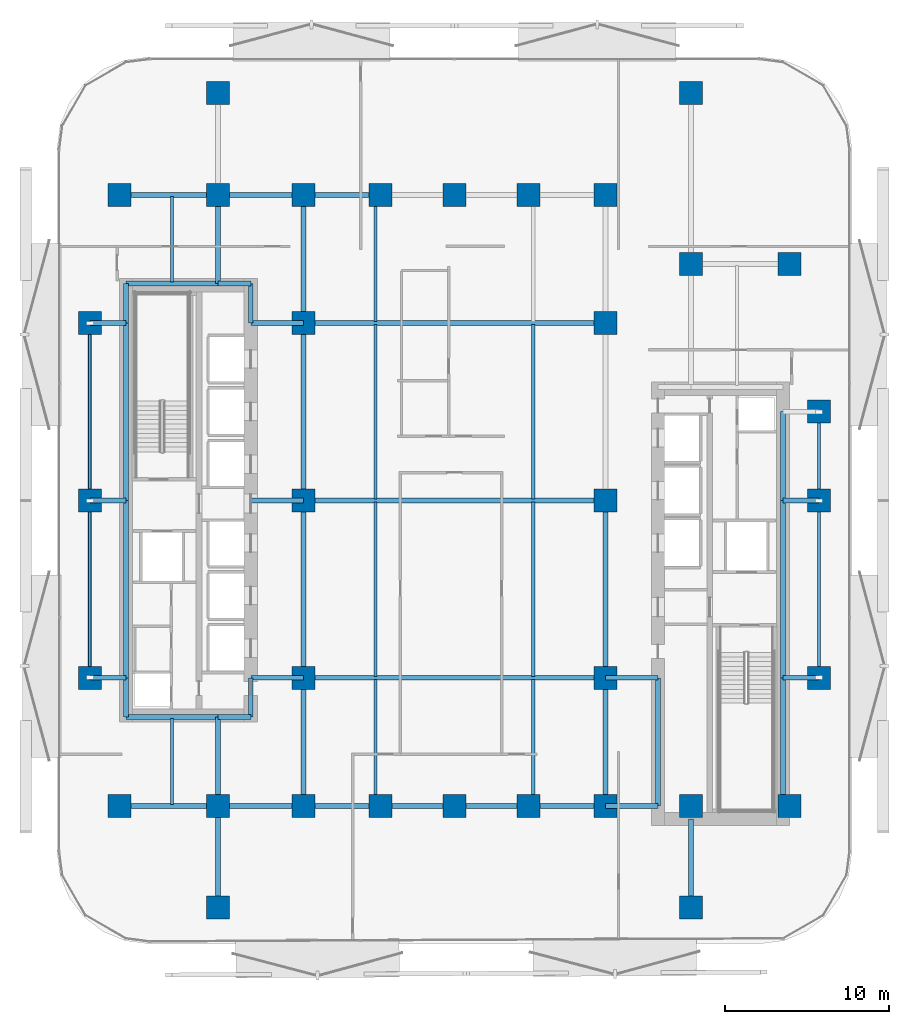
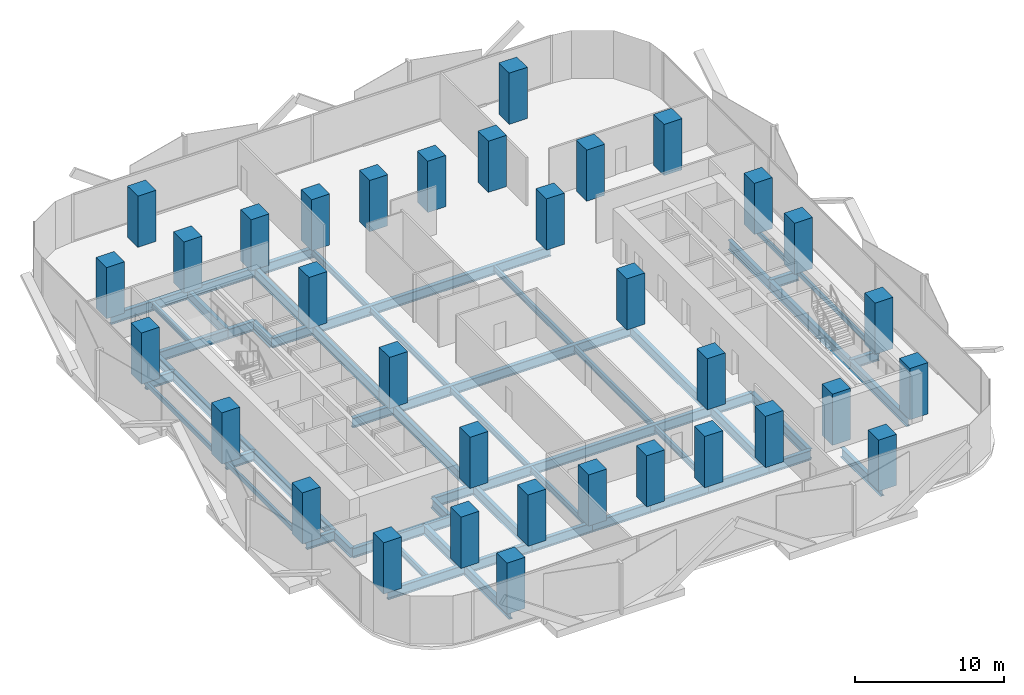
# One storey, part 1 of 15: 59 beams, 34 columns.
"""IFC4 building model written with IfcOpenShell, lengths in metres."""

from ifc_helpers import new_model, si_unit, direction, frame, origin, origin_2d, place, context, subcontext, project, spatial, rectangle, hollow_rectangle, i_section, extrude, material, material_profile, profile_set, type_object, element, save


model = new_model("IFC4")

# Units and contexts
model_context = context("Model", 3, precision=1e-05, world=origin(), true_north=direction((0.0, 1.0)))
body_context = subcontext(model_context, "Body", "Model", "MODEL_VIEW")
ifc_project = project(units=[si_unit("LENGTHUNIT", "METRE"), si_unit("AREAUNIT", "SQUARE_METRE"), si_unit("VOLUMEUNIT", "CUBIC_METRE"), si_unit("PLANEANGLEUNIT", "RADIAN"), si_unit("MASSUNIT", "GRAM", prefix="KILO")], contexts=[model_context])

# Site, building, storey
site_placement = place(None, origin())
site = spatial("IfcSite", under=ifc_project, at=site_placement, CompositionType="ELEMENT")
building_placement = place(site_placement, origin())
building = spatial("IfcBuilding", under=site, at=building_placement, Name="Khairoan Windgate Tower", CompositionType="ELEMENT")
storey_placement = place(building_placement, frame((0.0, 0.0, 47.0)))
storey = spatial("IfcBuildingStorey", under=building, at=storey_placement, Name="L11", CompositionType="ELEMENT", Elevation=47.0)

# Columns
ifc_material_1 = material(Name="Concrete C60/75", Category="concrete")
ifc_material_profile_1 = material_profile(ifc_material_1, rectangle(XDim=1.39990234375, YDim=1.39990234375, at=origin_2d()))
ifc_profile_set_1 = profile_set([ifc_material_profile_1], Name="Concrete C60/75")
column_type = type_object("IfcColumnType", Name="Column C-T2 RC1400x1400", PredefinedType="COLUMN", material=ifc_profile_set_1)
for number, where, z_axis, x_axis, name in (
    (1, (-9.199951171875, -18.60009765625, 0.0), (0.0, 0.0, 1.0), (1.0, 0.0, 0.0), "Column L11-01"),
    (2, (-9.199951171875, -10.800048828125, 0.0), (0.0, 0.0, 1.0), (1.0, 0.0, 0.0), "Column L11-02"),
    (3, (-9.199951171875, 0.0, 0.0), (0.0, 0.0, 1.0), (1.0, 0.0, 0.0), "Column L11-03"),
    (4, (-9.199951171875, 10.800048828125, 0.0), (0.0, 0.0, 1.0), (1.0, 0.0, 0.0), "Column L11-04"),
    (5, (-9.199951171875, 18.60009765625, 0.0), (0.0, 0.0, 1.0), (1.0, 0.0, 0.0), "Column L11-05"),
    (6, (9.199951171875, -18.60009765625, 0.0), (0.0, 0.0, 1.0), (1.0, 0.0, 0.0), "Column L11-06"),
    (7, (9.199951171875, -10.800048828125, 0.0), (0.0, 0.0, 1.0), (1.0, 0.0, 0.0), "Column L11-07"),
    (8, (9.199951171875, 0.0, 0.0), (0.0, 0.0, 1.0), (1.0, 0.0, 0.0), "Column L11-08"),
    (9, (9.199951171875, 10.800048828125, 0.0), (0.0, 0.0, 1.0), (1.0, 0.0, 0.0), "Column L11-09"),
    (10, (9.199951171875, 18.60009765625, 0.0), (0.0, 0.0, 1.0), (1.0, 0.0, 0.0), "Column L11-10"),
    (11, (-20.39990234375, -18.60009765625, 0.0), (0.0, 0.0, 1.0), (1.0, 0.0, 0.0), "Column L11-11"),
    (12, (-20.39990234375, 18.60009765625, 0.0), (0.0, 0.0, 1.0), (1.0, 0.0, 0.0), "Column L11-12"),
    (13, (20.39990234375, -18.60009765625, 0.0), (0.0, 0.0, 1.0), (1.0, 0.0, 0.0), "Column L11-13"),
    (14, (20.39990234375, 14.39990234375, 0.0), (0.0, 0.0, 1.0), (1.0, 0.0, 0.0), "Column L11-14"),
    (15, (-14.39990234375, -18.60009765625, 0.0), (0.0, 0.0, 1.0), (1.0, 0.0, 0.0), "Column L11-15"),
    (16, (-14.39990234375, 18.60009765625, 0.0), (0.0, 0.0, 1.0), (1.0, 0.0, 0.0), "Column L11-16"),
    (17, (14.39990234375, -18.60009765625, 0.0), (0.0, 0.0, 1.0), (1.0, 0.0, 0.0), "Column L11-17"),
    (18, (14.39990234375, 14.39990234375, 0.0), (0.0, 0.0, 1.0), (1.0, 0.0, 0.0), "Column L11-18"),
    (19, (-4.5, -18.60009765625, 0.0), (0.0, 0.0, 1.0), (1.0, 0.0, 0.0), "Column L11-19"),
    (20, (0.0, -18.60009765625, 0.0), (0.0, 0.0, 1.0), (1.0, 0.0, 0.0), "Column L11-20"),
    (21, (4.5, -18.60009765625, 0.0), (0.0, 0.0, 1.0), (1.0, 0.0, 0.0), "Column L11-21"),
    (22, (-4.5, 18.60009765625, 0.0), (0.0, 0.0, 1.0), (1.0, 0.0, 0.0), "Column L11-22"),
    (23, (0.0, 18.60009765625, 0.0), (0.0, 0.0, 1.0), (1.0, 0.0, 0.0), "Column L11-23"),
    (24, (4.5, 18.60009765625, 0.0), (0.0, 0.0, 1.0), (1.0, 0.0, 0.0), "Column L11-24"),
    (25, (-22.199951171875, -10.800048828125, 0.0), (0.0, 0.0, 1.0), (1.0, 0.0, 0.0), "Column L11-25"),
    (26, (-22.199951171875, 0.0, 0.0), (0.0, 0.0, 1.0), (1.0, 0.0, 0.0), "Column L11-26"),
    (27, (-22.199951171875, 10.800048828125, 0.0), (0.0, 0.0, 1.0), (1.0, 0.0, 0.0), "Column L11-27"),
    (28, (22.199951171875, -10.800048828125, 0.0), (0.0, 0.0, 1.0), (1.0, 0.0, 0.0), "Column L11-28"),
    (29, (22.199951171875, 0.0, 0.0), (0.0, 0.0, 1.0), (1.0, 0.0, 0.0), "Column L11-29"),
    (30, (22.199951171875, 5.39990234375, 0.0), (0.0, 0.0, 1.0), (1.0, 0.0, 0.0), "Column L11-30"),
    (31, (-14.39990234375, -24.800048828125, 0.0), (0.0, 0.0, 1.0), (1.0, 0.0, 0.0), "Column L11-31"),
    (32, (-14.39990234375, 24.800048828125, 0.0), (0.0, 0.0, 1.0), (1.0, 0.0, 0.0), "Column L11-32"),
    (33, (14.39990234375, -24.800048828125, 0.0), (0.0, 0.0, 1.0), (1.0, 0.0, 0.0), "Column L11-33"),
    (34, (14.39990234375, 24.800048828125, 0.0), (0.0, 0.0, 1.0), (1.0, 0.0, 0.0), "Column L11-34"),
):
    element("IfcColumn", number, at=place(storey_placement, frame(where, z_axis=z_axis, x_axis=x_axis)), inside=storey, type_object=column_type, Name=name, PredefinedType="COLUMN", context=body_context, shape_type="SweptSolid", body=[
        extrude(rectangle(XDim=1.39990234375, YDim=1.39990234375, at=origin_2d()), origin(), (0.0, 0.0, 1.0), 4.199951171875),
    ])

# Beams
ifc_material_2 = material(Name="Steel S355", Category="steel")
ifc_material_profile_2 = material_profile(ifc_material_2, i_section(OverallWidth=0.300048828125, OverallDepth=0.800048828125, WebThickness=0.013916015625, FlangeThickness=0.02587890625, FilletRadius=0.028076171875, at=origin_2d()))
ifc_profile_set_2 = profile_set([ifc_material_profile_2], Name="Steel S355")
beam_type_1 = type_object("IfcBeamType", Name="Beam B-G2 H800x300x14x26", PredefinedType="BEAM", material=ifc_profile_set_2)
beam_1_placement = place(storey_placement, frame((-20.39990234375, -18.60009765625, -0.659912109375), z_axis=(1.0, 0.0, 0.0), x_axis=(0.0, 1.0, 0.0)))
element("IfcBeam", 35, at=beam_1_placement, inside=storey, type_object=beam_type_1, Name="L11 E-W Primary Girder 01", PredefinedType="BEAM", context=body_context, shape_type="SweptSolid", body=[
    extrude(i_section(OverallWidth=0.300048828125, OverallDepth=0.800048828125, WebThickness=0.013916015625, FlangeThickness=0.02587890625, FilletRadius=0.028076171875, at=origin_2d()), origin(), (0.0, 0.0, 1.0), 6.0),
])
beam_2_placement = place(storey_placement, frame((-14.39990234375, -18.60009765625, -0.659912109375), z_axis=(1.0, 0.0, 0.0), x_axis=(0.0, 1.0, 0.0)))
element("IfcBeam", 36, at=beam_2_placement, inside=storey, type_object=beam_type_1, Name="L11 E-W Primary Girder 02", PredefinedType="BEAM", context=body_context, shape_type="SweptSolid", body=[
    extrude(i_section(OverallWidth=0.300048828125, OverallDepth=0.800048828125, WebThickness=0.013916015625, FlangeThickness=0.02587890625, FilletRadius=0.028076171875, at=origin_2d()), origin(), (0.0, 0.0, 1.0), 5.199951171875),
])
beam_3_placement = place(storey_placement, frame((-9.199951171875, -18.60009765625, -0.659912109375), z_axis=(1.0, 0.0, 0.0), x_axis=(0.0, 1.0, 0.0)))
element("IfcBeam", 37, at=beam_3_placement, inside=storey, type_object=beam_type_1, Name="L11 E-W Primary Girder 03", PredefinedType="BEAM", context=body_context, shape_type="SweptSolid", body=[
    extrude(i_section(OverallWidth=0.300048828125, OverallDepth=0.800048828125, WebThickness=0.013916015625, FlangeThickness=0.02587890625, FilletRadius=0.028076171875, at=origin_2d()), origin(), (0.0, 0.0, 1.0), 4.699951171875),
])
for number, where, z_axis, x_axis, name in (
    (38, (-4.5, -18.60009765625, -0.659912109375), (1.0, 0.0, 0.0), (0.0, 1.0, 0.0), "L11 E-W Primary Girder 04"),
    (39, (0.0, -18.60009765625, -0.659912109375), (1.0, 0.0, 0.0), (0.0, 1.0, 0.0), "L11 E-W Primary Girder 05"),
):
    element("IfcBeam", number, at=place(storey_placement, frame(where, z_axis=z_axis, x_axis=x_axis)), inside=storey, type_object=beam_type_1, Name=name, PredefinedType="BEAM", context=body_context, shape_type="SweptSolid", body=[
        extrude(i_section(OverallWidth=0.300048828125, OverallDepth=0.800048828125, WebThickness=0.013916015625, FlangeThickness=0.02587890625, FilletRadius=0.028076171875, at=origin_2d()), origin(), (0.0, 0.0, 1.0), 4.5),
    ])
beam_4_placement = place(storey_placement, frame((4.5, -18.60009765625, -0.659912109375), z_axis=(1.0, 0.0, 0.0), x_axis=(0.0, 1.0, 0.0)))
element("IfcBeam", 40, at=beam_4_placement, inside=storey, type_object=beam_type_1, Name="L11 E-W Primary Girder 06", PredefinedType="BEAM", context=body_context, shape_type="SweptSolid", body=[
    extrude(i_section(OverallWidth=0.300048828125, OverallDepth=0.800048828125, WebThickness=0.013916015625, FlangeThickness=0.02587890625, FilletRadius=0.028076171875, at=origin_2d()), origin(), (0.0, 0.0, 1.0), 4.699951171875),
])
beam_5_placement = place(storey_placement, frame((9.199951171875, -18.60009765625, -0.659912109375), z_axis=(1.0, 0.0, 0.0), x_axis=(0.0, 1.0, 0.0)))
element("IfcBeam", 41, at=beam_5_placement, inside=storey, type_object=beam_type_1, Name="L11 E-W Primary Girder 07", PredefinedType="BEAM", context=body_context, shape_type="SweptSolid", body=[
    extrude(i_section(OverallWidth=0.300048828125, OverallDepth=0.800048828125, WebThickness=0.013916015625, FlangeThickness=0.02587890625, FilletRadius=0.028076171875, at=origin_2d()), origin(), (0.0, 0.0, 1.0), 3.199951171875),
])
beam_6_placement = place(storey_placement, frame((-20.0, -13.199951171875, -0.659912109375), z_axis=(1.0, 0.0, 0.0), x_axis=(0.0, 1.0, 0.0)))
element("IfcBeam", 42, at=beam_6_placement, inside=storey, type_object=beam_type_1, Name="L11 E-W Primary Girder 08", PredefinedType="BEAM", context=body_context, shape_type="SweptSolid", body=[
    extrude(i_section(OverallWidth=0.300048828125, OverallDepth=0.800048828125, WebThickness=0.013916015625, FlangeThickness=0.02587890625, FilletRadius=0.028076171875, at=origin_2d()), origin(), (0.0, 0.0, 1.0), 5.60009765625),
])
beam_7_placement = place(storey_placement, frame((-14.39990234375, -13.199951171875, -0.659912109375), z_axis=(1.0, 0.0, 0.0), x_axis=(0.0, 1.0, 0.0)))
element("IfcBeam", 43, at=beam_7_placement, inside=storey, type_object=beam_type_1, Name="L11 E-W Primary Girder 09", PredefinedType="BEAM", context=body_context, shape_type="SweptSolid", body=[
    extrude(i_section(OverallWidth=0.300048828125, OverallDepth=0.800048828125, WebThickness=0.013916015625, FlangeThickness=0.02587890625, FilletRadius=0.028076171875, at=origin_2d()), origin(), (0.0, 0.0, 1.0), 2.0),
])
beam_8_placement = place(storey_placement, frame((-22.199951171875, -10.800048828125, -0.659912109375), z_axis=(1.0, 0.0, 0.0), x_axis=(0.0, 1.0, 0.0)))
element("IfcBeam", 44, at=beam_8_placement, inside=storey, type_object=beam_type_1, Name="L11 E-W Primary Girder 10", PredefinedType="BEAM", context=body_context, shape_type="SweptSolid", body=[
    extrude(i_section(OverallWidth=0.300048828125, OverallDepth=0.800048828125, WebThickness=0.013916015625, FlangeThickness=0.02587890625, FilletRadius=0.028076171875, at=origin_2d()), origin(), (0.0, 0.0, 1.0), 2.199951171875),
])
beam_9_placement = place(storey_placement, frame((-12.39990234375, -10.800048828125, -0.659912109375), z_axis=(1.0, 0.0, 0.0), x_axis=(0.0, 1.0, 0.0)))
element("IfcBeam", 45, at=beam_9_placement, inside=storey, type_object=beam_type_1, Name="L11 E-W Primary Girder 11", PredefinedType="BEAM", context=body_context, shape_type="SweptSolid", body=[
    extrude(i_section(OverallWidth=0.300048828125, OverallDepth=0.800048828125, WebThickness=0.013916015625, FlangeThickness=0.02587890625, FilletRadius=0.028076171875, at=origin_2d()), origin(), (0.0, 0.0, 1.0), 3.199951171875),
])
beam_10_placement = place(storey_placement, frame((-9.199951171875, -10.800048828125, -0.659912109375), z_axis=(1.0, 0.0, 0.0), x_axis=(0.0, 1.0, 0.0)))
element("IfcBeam", 46, at=beam_10_placement, inside=storey, type_object=beam_type_1, Name="L11 E-W Primary Girder 12", PredefinedType="BEAM", context=body_context, shape_type="SweptSolid", body=[
    extrude(i_section(OverallWidth=0.300048828125, OverallDepth=0.800048828125, WebThickness=0.013916015625, FlangeThickness=0.02587890625, FilletRadius=0.028076171875, at=origin_2d()), origin(), (0.0, 0.0, 1.0), 18.39990234375),
])
beam_11_placement = place(storey_placement, frame((9.199951171875, -10.800048828125, -0.659912109375), z_axis=(1.0, 0.0, 0.0), x_axis=(0.0, 1.0, 0.0)))
element("IfcBeam", 47, at=beam_11_placement, inside=storey, type_object=beam_type_1, Name="L11 E-W Primary Girder 13", PredefinedType="BEAM", context=body_context, shape_type="SweptSolid", body=[
    extrude(i_section(OverallWidth=0.300048828125, OverallDepth=0.800048828125, WebThickness=0.013916015625, FlangeThickness=0.02587890625, FilletRadius=0.028076171875, at=origin_2d()), origin(), (0.0, 0.0, 1.0), 3.199951171875),
])
for number, where, z_axis, x_axis, name in (
    (48, (20.0, -10.800048828125, -0.659912109375), (1.0, 0.0, 0.0), (0.0, 1.0, 0.0), "L11 E-W Primary Girder 14"),
    (49, (-22.199951171875, 0.0, -0.659912109375), (1.0, 0.0, 0.0), (0.0, 1.0, 0.0), "L11 E-W Primary Girder 15"),
):
    element("IfcBeam", number, at=place(storey_placement, frame(where, z_axis=z_axis, x_axis=x_axis)), inside=storey, type_object=beam_type_1, Name=name, PredefinedType="BEAM", context=body_context, shape_type="SweptSolid", body=[
        extrude(i_section(OverallWidth=0.300048828125, OverallDepth=0.800048828125, WebThickness=0.013916015625, FlangeThickness=0.02587890625, FilletRadius=0.028076171875, at=origin_2d()), origin(), (0.0, 0.0, 1.0), 2.199951171875),
    ])
beam_12_placement = place(storey_placement, frame((-12.39990234375, 0.0, -0.659912109375), z_axis=(1.0, 0.0, 0.0), x_axis=(0.0, 1.0, 0.0)))
element("IfcBeam", 50, at=beam_12_placement, inside=storey, type_object=beam_type_1, Name="L11 E-W Primary Girder 16", PredefinedType="BEAM", context=body_context, shape_type="SweptSolid", body=[
    extrude(i_section(OverallWidth=0.300048828125, OverallDepth=0.800048828125, WebThickness=0.013916015625, FlangeThickness=0.02587890625, FilletRadius=0.028076171875, at=origin_2d()), origin(), (0.0, 0.0, 1.0), 3.199951171875),
])
beam_13_placement = place(storey_placement, frame((-9.199951171875, 0.0, -0.659912109375), z_axis=(1.0, 0.0, 0.0), x_axis=(0.0, 1.0, 0.0)))
element("IfcBeam", 51, at=beam_13_placement, inside=storey, type_object=beam_type_1, Name="L11 E-W Primary Girder 17", PredefinedType="BEAM", context=body_context, shape_type="SweptSolid", body=[
    extrude(i_section(OverallWidth=0.300048828125, OverallDepth=0.800048828125, WebThickness=0.013916015625, FlangeThickness=0.02587890625, FilletRadius=0.028076171875, at=origin_2d()), origin(), (0.0, 0.0, 1.0), 18.39990234375),
])
for number, where, z_axis, x_axis, name in (
    (52, (20.0, 0.0, -0.659912109375), (1.0, 0.0, 0.0), (0.0, 1.0, 0.0), "L11 E-W Primary Girder 18"),
    (53, (-22.199951171875, 10.800048828125, -0.659912109375), (1.0, 0.0, 0.0), (0.0, 1.0, 0.0), "L11 E-W Primary Girder 22"),
):
    element("IfcBeam", number, at=place(storey_placement, frame(where, z_axis=z_axis, x_axis=x_axis)), inside=storey, type_object=beam_type_1, Name=name, PredefinedType="BEAM", context=body_context, shape_type="SweptSolid", body=[
        extrude(i_section(OverallWidth=0.300048828125, OverallDepth=0.800048828125, WebThickness=0.013916015625, FlangeThickness=0.02587890625, FilletRadius=0.028076171875, at=origin_2d()), origin(), (0.0, 0.0, 1.0), 2.199951171875),
    ])
beam_14_placement = place(storey_placement, frame((-12.39990234375, 10.800048828125, -0.659912109375), z_axis=(1.0, 0.0, 0.0), x_axis=(0.0, 1.0, 0.0)))
element("IfcBeam", 54, at=beam_14_placement, inside=storey, type_object=beam_type_1, Name="L11 E-W Primary Girder 23", PredefinedType="BEAM", context=body_context, shape_type="SweptSolid", body=[
    extrude(i_section(OverallWidth=0.300048828125, OverallDepth=0.800048828125, WebThickness=0.013916015625, FlangeThickness=0.02587890625, FilletRadius=0.028076171875, at=origin_2d()), origin(), (0.0, 0.0, 1.0), 3.199951171875),
])
beam_15_placement = place(storey_placement, frame((-9.199951171875, 10.800048828125, -0.659912109375), z_axis=(1.0, 0.0, 0.0), x_axis=(0.0, 1.0, 0.0)))
element("IfcBeam", 55, at=beam_15_placement, inside=storey, type_object=beam_type_1, Name="L11 E-W Primary Girder 24", PredefinedType="BEAM", context=body_context, shape_type="SweptSolid", body=[
    extrude(i_section(OverallWidth=0.300048828125, OverallDepth=0.800048828125, WebThickness=0.013916015625, FlangeThickness=0.02587890625, FilletRadius=0.028076171875, at=origin_2d()), origin(), (0.0, 0.0, 1.0), 18.39990234375),
])
beam_16_placement = place(storey_placement, frame((-20.0, 13.199951171875, -0.659912109375), z_axis=(1.0, 0.0, 0.0), x_axis=(0.0, 1.0, 0.0)))
element("IfcBeam", 56, at=beam_16_placement, inside=storey, type_object=beam_type_1, Name="L11 E-W Primary Girder 25", PredefinedType="BEAM", context=body_context, shape_type="SweptSolid", body=[
    extrude(i_section(OverallWidth=0.300048828125, OverallDepth=0.800048828125, WebThickness=0.013916015625, FlangeThickness=0.02587890625, FilletRadius=0.028076171875, at=origin_2d()), origin(), (0.0, 0.0, 1.0), 5.60009765625),
])
beam_17_placement = place(storey_placement, frame((-14.39990234375, 13.199951171875, -0.659912109375), z_axis=(1.0, 0.0, 0.0), x_axis=(0.0, 1.0, 0.0)))
element("IfcBeam", 57, at=beam_17_placement, inside=storey, type_object=beam_type_1, Name="L11 E-W Primary Girder 26", PredefinedType="BEAM", context=body_context, shape_type="SweptSolid", body=[
    extrude(i_section(OverallWidth=0.300048828125, OverallDepth=0.800048828125, WebThickness=0.013916015625, FlangeThickness=0.02587890625, FilletRadius=0.028076171875, at=origin_2d()), origin(), (0.0, 0.0, 1.0), 2.0),
])
beam_18_placement = place(storey_placement, frame((-20.39990234375, 18.60009765625, -0.659912109375), z_axis=(1.0, 0.0, 0.0), x_axis=(0.0, 1.0, 0.0)))
element("IfcBeam", 58, at=beam_18_placement, inside=storey, type_object=beam_type_1, Name="L11 E-W Primary Girder 28", PredefinedType="BEAM", context=body_context, shape_type="SweptSolid", body=[
    extrude(i_section(OverallWidth=0.300048828125, OverallDepth=0.800048828125, WebThickness=0.013916015625, FlangeThickness=0.02587890625, FilletRadius=0.028076171875, at=origin_2d()), origin(), (0.0, 0.0, 1.0), 6.0),
])
beam_19_placement = place(storey_placement, frame((-14.39990234375, 18.60009765625, -0.659912109375), z_axis=(1.0, 0.0, 0.0), x_axis=(0.0, 1.0, 0.0)))
element("IfcBeam", 59, at=beam_19_placement, inside=storey, type_object=beam_type_1, Name="L11 E-W Primary Girder 29", PredefinedType="BEAM", context=body_context, shape_type="SweptSolid", body=[
    extrude(i_section(OverallWidth=0.300048828125, OverallDepth=0.800048828125, WebThickness=0.013916015625, FlangeThickness=0.02587890625, FilletRadius=0.028076171875, at=origin_2d()), origin(), (0.0, 0.0, 1.0), 5.199951171875),
])
beam_20_placement = place(storey_placement, frame((-9.199951171875, 18.60009765625, -0.659912109375), z_axis=(1.0, 0.0, 0.0), x_axis=(0.0, 1.0, 0.0)))
element("IfcBeam", 60, at=beam_20_placement, inside=storey, type_object=beam_type_1, Name="L11 E-W Primary Girder 30", PredefinedType="BEAM", context=body_context, shape_type="SweptSolid", body=[
    extrude(i_section(OverallWidth=0.300048828125, OverallDepth=0.800048828125, WebThickness=0.013916015625, FlangeThickness=0.02587890625, FilletRadius=0.028076171875, at=origin_2d()), origin(), (0.0, 0.0, 1.0), 4.699951171875),
])
beam_21_placement = place(storey_placement, frame((-20.0, -13.199951171875, -0.659912109375), z_axis=(0.0, 1.0, 0.0), x_axis=(-1.0, 0.0, 0.0)))
element("IfcBeam", 61, at=beam_21_placement, inside=storey, type_object=beam_type_1, Name="L11 N-S Primary Beam 36", PredefinedType="BEAM", context=body_context, shape_type="SweptSolid", body=[
    extrude(i_section(OverallWidth=0.300048828125, OverallDepth=0.800048828125, WebThickness=0.013916015625, FlangeThickness=0.02587890625, FilletRadius=0.028076171875, at=origin_2d()), origin(), (0.0, 0.0, 1.0), 2.39990234375),
])
for number, where, z_axis, x_axis, name in (
    (62, (-20.0, -10.800048828125, -0.659912109375), (0.0, 1.0, 0.0), (-1.0, 0.0, 0.0), "L11 N-S Primary Beam 37"),
    (63, (-20.0, 0.0, -0.659912109375), (0.0, 1.0, 0.0), (-1.0, 0.0, 0.0), "L11 N-S Primary Beam 38"),
):
    element("IfcBeam", number, at=place(storey_placement, frame(where, z_axis=z_axis, x_axis=x_axis)), inside=storey, type_object=beam_type_1, Name=name, PredefinedType="BEAM", context=body_context, shape_type="SweptSolid", body=[
        extrude(i_section(OverallWidth=0.300048828125, OverallDepth=0.800048828125, WebThickness=0.013916015625, FlangeThickness=0.02587890625, FilletRadius=0.028076171875, at=origin_2d()), origin(), (0.0, 0.0, 1.0), 10.800048828125),
    ])
beam_22_placement = place(storey_placement, frame((-20.0, 10.800048828125, -0.659912109375), z_axis=(0.0, 1.0, 0.0), x_axis=(-1.0, 0.0, 0.0)))
element("IfcBeam", 64, at=beam_22_placement, inside=storey, type_object=beam_type_1, Name="L11 N-S Primary Beam 39", PredefinedType="BEAM", context=body_context, shape_type="SweptSolid", body=[
    extrude(i_section(OverallWidth=0.300048828125, OverallDepth=0.800048828125, WebThickness=0.013916015625, FlangeThickness=0.02587890625, FilletRadius=0.028076171875, at=origin_2d()), origin(), (0.0, 0.0, 1.0), 2.39990234375),
])
beam_23_placement = place(storey_placement, frame((-14.39990234375, -24.800048828125, -0.659912109375), z_axis=(0.0, 1.0, 0.0), x_axis=(-1.0, 0.0, 0.0)))
element("IfcBeam", 65, at=beam_23_placement, inside=storey, type_object=beam_type_1, Name="L11 N-S Primary Beam 40", PredefinedType="BEAM", context=body_context, shape_type="SweptSolid", body=[
    extrude(i_section(OverallWidth=0.300048828125, OverallDepth=0.800048828125, WebThickness=0.013916015625, FlangeThickness=0.02587890625, FilletRadius=0.028076171875, at=origin_2d()), origin(), (0.0, 0.0, 1.0), 6.199951171875),
])
for number, where, z_axis, x_axis, name in (
    (66, (-14.39990234375, -18.60009765625, -0.659912109375), (0.0, 1.0, 0.0), (-1.0, 0.0, 0.0), "L11 N-S Primary Beam 41"),
    (67, (-14.39990234375, 13.199951171875, -0.659912109375), (0.0, 1.0, 0.0), (-1.0, 0.0, 0.0), "L11 N-S Primary Beam 42"),
):
    element("IfcBeam", number, at=place(storey_placement, frame(where, z_axis=z_axis, x_axis=x_axis)), inside=storey, type_object=beam_type_1, Name=name, PredefinedType="BEAM", context=body_context, shape_type="SweptSolid", body=[
        extrude(i_section(OverallWidth=0.300048828125, OverallDepth=0.800048828125, WebThickness=0.013916015625, FlangeThickness=0.02587890625, FilletRadius=0.028076171875, at=origin_2d()), origin(), (0.0, 0.0, 1.0), 5.400146484375),
    ])
for number, where, z_axis, x_axis, name in (
    (68, (-12.39990234375, -13.199951171875, -0.659912109375), (0.0, 1.0, 0.0), (-1.0, 0.0, 0.0), "L11 N-S Primary Beam 44"),
    (69, (-12.39990234375, 10.800048828125, -0.659912109375), (0.0, 1.0, 0.0), (-1.0, 0.0, 0.0), "L11 N-S Primary Beam 45"),
):
    element("IfcBeam", number, at=place(storey_placement, frame(where, z_axis=z_axis, x_axis=x_axis)), inside=storey, type_object=beam_type_1, Name=name, PredefinedType="BEAM", context=body_context, shape_type="SweptSolid", body=[
        extrude(i_section(OverallWidth=0.300048828125, OverallDepth=0.800048828125, WebThickness=0.013916015625, FlangeThickness=0.02587890625, FilletRadius=0.028076171875, at=origin_2d()), origin(), (0.0, 0.0, 1.0), 2.39990234375),
    ])
beam_24_placement = place(storey_placement, frame((-9.199951171875, -18.60009765625, -0.659912109375), z_axis=(0.0, 1.0, 0.0), x_axis=(-1.0, 0.0, 0.0)))
element("IfcBeam", 70, at=beam_24_placement, inside=storey, type_object=beam_type_1, Name="L11 N-S Primary Beam 46", PredefinedType="BEAM", context=body_context, shape_type="SweptSolid", body=[
    extrude(i_section(OverallWidth=0.300048828125, OverallDepth=0.800048828125, WebThickness=0.013916015625, FlangeThickness=0.02587890625, FilletRadius=0.028076171875, at=origin_2d()), origin(), (0.0, 0.0, 1.0), 7.800048828125),
])
for number, where, z_axis, x_axis, name in (
    (71, (-9.199951171875, -10.800048828125, -0.659912109375), (0.0, 1.0, 0.0), (-1.0, 0.0, 0.0), "L11 N-S Primary Beam 47"),
    (72, (-9.199951171875, 0.0, -0.659912109375), (0.0, 1.0, 0.0), (-1.0, 0.0, 0.0), "L11 N-S Primary Beam 48"),
):
    element("IfcBeam", number, at=place(storey_placement, frame(where, z_axis=z_axis, x_axis=x_axis)), inside=storey, type_object=beam_type_1, Name=name, PredefinedType="BEAM", context=body_context, shape_type="SweptSolid", body=[
        extrude(i_section(OverallWidth=0.300048828125, OverallDepth=0.800048828125, WebThickness=0.013916015625, FlangeThickness=0.02587890625, FilletRadius=0.028076171875, at=origin_2d()), origin(), (0.0, 0.0, 1.0), 10.800048828125),
    ])
for number, where, z_axis, x_axis, name in (
    (73, (-9.199951171875, 10.800048828125, -0.659912109375), (0.0, 1.0, 0.0), (-1.0, 0.0, 0.0), "L11 N-S Primary Beam 49"),
    (74, (9.199951171875, -18.60009765625, -0.659912109375), (0.0, 1.0, 0.0), (-1.0, 0.0, 0.0), "L11 N-S Primary Beam 50"),
):
    element("IfcBeam", number, at=place(storey_placement, frame(where, z_axis=z_axis, x_axis=x_axis)), inside=storey, type_object=beam_type_1, Name=name, PredefinedType="BEAM", context=body_context, shape_type="SweptSolid", body=[
        extrude(i_section(OverallWidth=0.300048828125, OverallDepth=0.800048828125, WebThickness=0.013916015625, FlangeThickness=0.02587890625, FilletRadius=0.028076171875, at=origin_2d()), origin(), (0.0, 0.0, 1.0), 7.800048828125),
    ])
beam_25_placement = place(storey_placement, frame((9.199951171875, -10.800048828125, -0.659912109375), z_axis=(0.0, 1.0, 0.0), x_axis=(-1.0, 0.0, 0.0)))
element("IfcBeam", 75, at=beam_25_placement, inside=storey, type_object=beam_type_1, Name="L11 N-S Primary Beam 51", PredefinedType="BEAM", context=body_context, shape_type="SweptSolid", body=[
    extrude(i_section(OverallWidth=0.300048828125, OverallDepth=0.800048828125, WebThickness=0.013916015625, FlangeThickness=0.02587890625, FilletRadius=0.028076171875, at=origin_2d()), origin(), (0.0, 0.0, 1.0), 10.800048828125),
])
beam_26_placement = place(storey_placement, frame((12.39990234375, -18.60009765625, -0.659912109375), z_axis=(0.0, 1.0, 0.0), x_axis=(-1.0, 0.0, 0.0)))
element("IfcBeam", 76, at=beam_26_placement, inside=storey, type_object=beam_type_1, Name="L11 N-S Primary Beam 54", PredefinedType="BEAM", context=body_context, shape_type="SweptSolid", body=[
    extrude(i_section(OverallWidth=0.300048828125, OverallDepth=0.800048828125, WebThickness=0.013916015625, FlangeThickness=0.02587890625, FilletRadius=0.028076171875, at=origin_2d()), origin(), (0.0, 0.0, 1.0), 7.800048828125),
])
beam_27_placement = place(storey_placement, frame((14.39990234375, -24.800048828125, -0.659912109375), z_axis=(0.0, 1.0, 0.0), x_axis=(-1.0, 0.0, 0.0)))
element("IfcBeam", 77, at=beam_27_placement, inside=storey, type_object=beam_type_1, Name="L11 N-S Primary Beam 55", PredefinedType="BEAM", context=body_context, shape_type="SweptSolid", body=[
    extrude(i_section(OverallWidth=0.300048828125, OverallDepth=0.800048828125, WebThickness=0.013916015625, FlangeThickness=0.02587890625, FilletRadius=0.028076171875, at=origin_2d()), origin(), (0.0, 0.0, 1.0), 5.400146484375),
])
beam_28_placement = place(storey_placement, frame((20.0, -18.60009765625, -0.659912109375), z_axis=(0.0, 1.0, 0.0), x_axis=(-1.0, 0.0, 0.0)))
element("IfcBeam", 78, at=beam_28_placement, inside=storey, type_object=beam_type_1, Name="L11 N-S Primary Beam 58", PredefinedType="BEAM", context=body_context, shape_type="SweptSolid", body=[
    extrude(i_section(OverallWidth=0.300048828125, OverallDepth=0.800048828125, WebThickness=0.013916015625, FlangeThickness=0.02587890625, FilletRadius=0.028076171875, at=origin_2d()), origin(), (0.0, 0.0, 1.0), 7.800048828125),
])
beam_29_placement = place(storey_placement, frame((20.0, -10.800048828125, -0.659912109375), z_axis=(0.0, 1.0, 0.0), x_axis=(-1.0, 0.0, 0.0)))
element("IfcBeam", 79, at=beam_29_placement, inside=storey, type_object=beam_type_1, Name="L11 N-S Primary Beam 59", PredefinedType="BEAM", context=body_context, shape_type="SweptSolid", body=[
    extrude(i_section(OverallWidth=0.300048828125, OverallDepth=0.800048828125, WebThickness=0.013916015625, FlangeThickness=0.02587890625, FilletRadius=0.028076171875, at=origin_2d()), origin(), (0.0, 0.0, 1.0), 10.800048828125),
])
beam_30_placement = place(storey_placement, frame((20.0, 0.0, -0.659912109375), z_axis=(0.0, 1.0, 0.0), x_axis=(-1.0, 0.0, 0.0)))
element("IfcBeam", 80, at=beam_30_placement, inside=storey, type_object=beam_type_1, Name="L11 N-S Primary Beam 60", PredefinedType="BEAM", context=body_context, shape_type="SweptSolid", body=[
    extrude(i_section(OverallWidth=0.300048828125, OverallDepth=0.800048828125, WebThickness=0.013916015625, FlangeThickness=0.02587890625, FilletRadius=0.028076171875, at=origin_2d()), origin(), (0.0, 0.0, 1.0), 5.39990234375),
])
ifc_material_3 = material(Name="Steel S355", Category="steel")
ifc_material_profile_3 = material_profile(ifc_material_3, i_section(OverallWidth=0.199951171875, OverallDepth=0.5, WebThickness=0.010009765625, FlangeThickness=0.01611328125, FilletRadius=0.02001953125, at=origin_2d()))
ifc_profile_set_3 = profile_set([ifc_material_profile_3], Name="Steel S355")
beam_type_2 = type_object("IfcBeamType", Name="Beam J-S2 H500x200x10x16", PredefinedType="JOIST", material=ifc_profile_set_3)
for number, where, z_axis, x_axis, name in (
    (81, (-17.199951171875, -18.510009765625, -0.510009765625), (0.0, 1.0, 0.0), (-1.0, 0.0, 0.0), "L11 Secondary Floor Joist 01"),
    (82, (-17.199951171875, 13.2900390625, -0.510009765625), (0.0, 1.0, 0.0), (-1.0, 0.0, 0.0), "L11 Secondary Floor Joist 02"),
):
    element("IfcBeam", number, at=place(storey_placement, frame(where, z_axis=z_axis, x_axis=x_axis)), inside=storey, type_object=beam_type_2, Name=name, PredefinedType="JOIST", context=body_context, shape_type="SweptSolid", body=[
        extrude(i_section(OverallWidth=0.199951171875, OverallDepth=0.5, WebThickness=0.010009765625, FlangeThickness=0.01611328125, FilletRadius=0.02001953125, at=origin_2d()), origin(), (0.0, 0.0, 1.0), 5.219970703125),
    ])
beam_31_placement = place(storey_placement, frame((-4.800048828125, -18.510009765625, -0.510009765625), z_axis=(0.0, 1.0, 0.0), x_axis=(-1.0, 0.0, 0.0)))
element("IfcBeam", 83, at=beam_31_placement, inside=storey, type_object=beam_type_2, Name="L11 Secondary Floor Joist 03", PredefinedType="JOIST", context=body_context, shape_type="SweptSolid", body=[
    extrude(i_section(OverallWidth=0.199951171875, OverallDepth=0.5, WebThickness=0.010009765625, FlangeThickness=0.01611328125, FilletRadius=0.02001953125, at=origin_2d()), origin(), (0.0, 0.0, 1.0), 7.6201171875),
])
for number, where, z_axis, x_axis, name in (
    (84, (-4.800048828125, -10.7099609375, -0.510009765625), (0.0, 1.0, 0.0), (-1.0, 0.0, 0.0), "L11 Secondary Floor Joist 04"),
    (85, (-4.800048828125, 0.090087890625, -0.510009765625), (0.0, 1.0, 0.0), (-1.0, 0.0, 0.0), "L11 Secondary Floor Joist 05"),
):
    element("IfcBeam", number, at=place(storey_placement, frame(where, z_axis=z_axis, x_axis=x_axis)), inside=storey, type_object=beam_type_2, Name=name, PredefinedType="JOIST", context=body_context, shape_type="SweptSolid", body=[
        extrude(i_section(OverallWidth=0.199951171875, OverallDepth=0.5, WebThickness=0.010009765625, FlangeThickness=0.01611328125, FilletRadius=0.02001953125, at=origin_2d()), origin(), (0.0, 0.0, 1.0), 10.619873046875),
    ])
for number, where, z_axis, x_axis, name in (
    (86, (-4.800048828125, 10.889892578125, -0.510009765625), (0.0, 1.0, 0.0), (-1.0, 0.0, 0.0), "L11 Secondary Floor Joist 06"),
    (87, (4.800048828125, -18.510009765625, -0.510009765625), (0.0, 1.0, 0.0), (-1.0, 0.0, 0.0), "L11 Secondary Floor Joist 07"),
):
    element("IfcBeam", number, at=place(storey_placement, frame(where, z_axis=z_axis, x_axis=x_axis)), inside=storey, type_object=beam_type_2, Name=name, PredefinedType="JOIST", context=body_context, shape_type="SweptSolid", body=[
        extrude(i_section(OverallWidth=0.199951171875, OverallDepth=0.5, WebThickness=0.010009765625, FlangeThickness=0.01611328125, FilletRadius=0.02001953125, at=origin_2d()), origin(), (0.0, 0.0, 1.0), 7.6201171875),
    ])
for number, where, z_axis, x_axis, name in (
    (88, (4.800048828125, -10.7099609375, -0.510009765625), (0.0, 1.0, 0.0), (-1.0, 0.0, 0.0), "L11 Secondary Floor Joist 08"),
    (89, (4.800048828125, 0.090087890625, -0.510009765625), (0.0, 1.0, 0.0), (-1.0, 0.0, 0.0), "L11 Secondary Floor Joist 09"),
):
    element("IfcBeam", number, at=place(storey_placement, frame(where, z_axis=z_axis, x_axis=x_axis)), inside=storey, type_object=beam_type_2, Name=name, PredefinedType="JOIST", context=body_context, shape_type="SweptSolid", body=[
        extrude(i_section(OverallWidth=0.199951171875, OverallDepth=0.5, WebThickness=0.010009765625, FlangeThickness=0.01611328125, FilletRadius=0.02001953125, at=origin_2d()), origin(), (0.0, 0.0, 1.0), 10.619873046875),
    ])
ifc_material_4 = material(Name="Steel S355", Category="steel")
ifc_material_profile_4 = material_profile(ifc_material_4, hollow_rectangle(XDim=0.199951171875, YDim=0.39990234375, WallThickness=0.013916015625, InnerFilletRadius=0.013916015625, OuterFilletRadius=0.028076171875, at=origin_2d()))
ifc_profile_set_4 = profile_set([ifc_material_profile_4], Name="Steel S355")
beam_type_3 = type_object("IfcBeamType", Name="Beam SP-B1 RHS400x200x14", PredefinedType="SPANDREL", material=ifc_profile_set_4)
for number, where, z_axis, x_axis, name in (
    (90, (-22.199951171875, -10.800048828125, -0.4599609375), (0.0, 1.0, 0.0), (-1.0, 0.0, 0.0), "L11 Spandrel Beam 34"),
    (91, (-22.199951171875, 0.0, -0.4599609375), (0.0, 1.0, 0.0), (-1.0, 0.0, 0.0), "L11 Spandrel Beam 35"),
    (92, (22.199951171875, -10.800048828125, -0.4599609375), (0.0, 1.0, 0.0), (-1.0, 0.0, 0.0), "L11 Spandrel Beam 61"),
):
    element("IfcBeam", number, at=place(storey_placement, frame(where, z_axis=z_axis, x_axis=x_axis)), inside=storey, type_object=beam_type_3, Name=name, PredefinedType="SPANDREL", context=body_context, shape_type="SweptSolid", body=[
        extrude(hollow_rectangle(XDim=0.199951171875, YDim=0.39990234375, WallThickness=0.013916015625, InnerFilletRadius=0.013916015625, OuterFilletRadius=0.028076171875, at=origin_2d()), origin(), (0.0, 0.0, 1.0), 10.800048828125),
    ])
beam_32_placement = place(storey_placement, frame((22.199951171875, 0.0, -0.4599609375), z_axis=(0.0, 1.0, 0.0), x_axis=(-1.0, 0.0, 0.0)))
element("IfcBeam", 93, at=beam_32_placement, inside=storey, type_object=beam_type_3, Name="L11 Spandrel Beam 62", PredefinedType="SPANDREL", context=body_context, shape_type="SweptSolid", body=[
    extrude(hollow_rectangle(XDim=0.199951171875, YDim=0.39990234375, WallThickness=0.013916015625, InnerFilletRadius=0.013916015625, OuterFilletRadius=0.028076171875, at=origin_2d()), origin(), (0.0, 0.0, 1.0), 5.39990234375),
])

save(model, "model.ifc")
